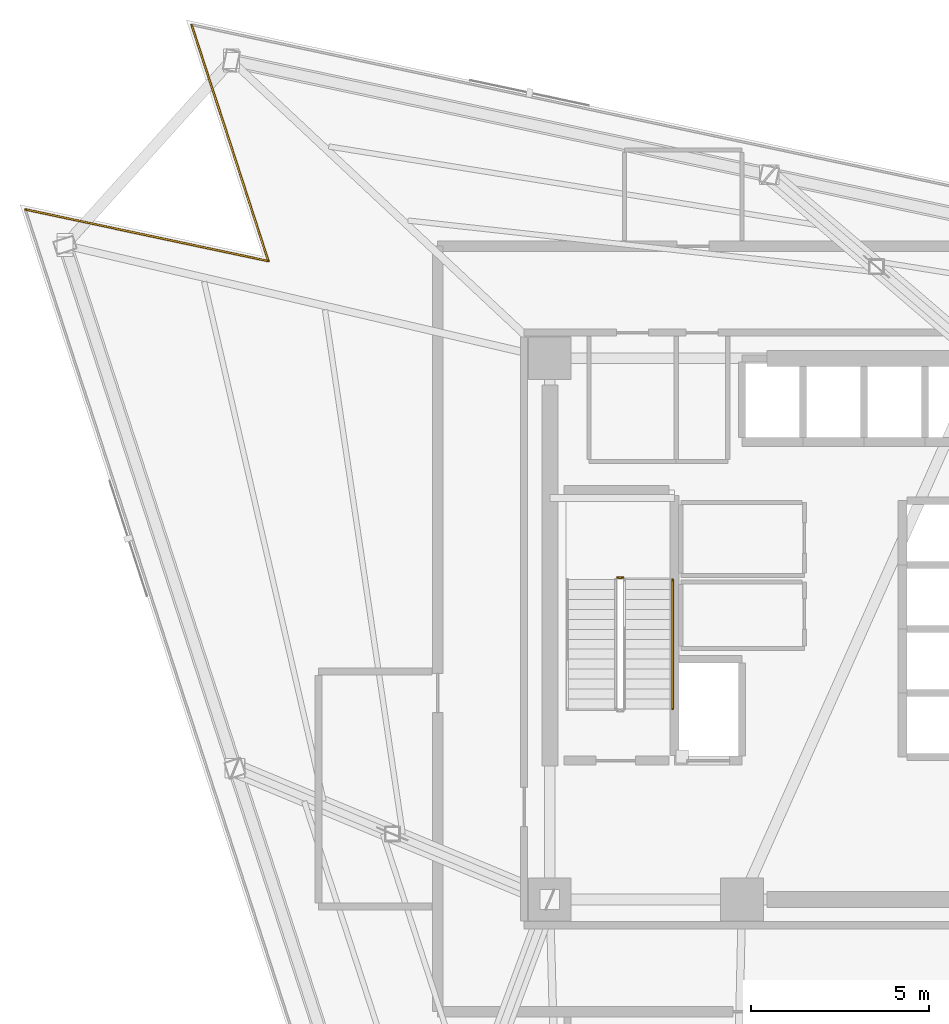
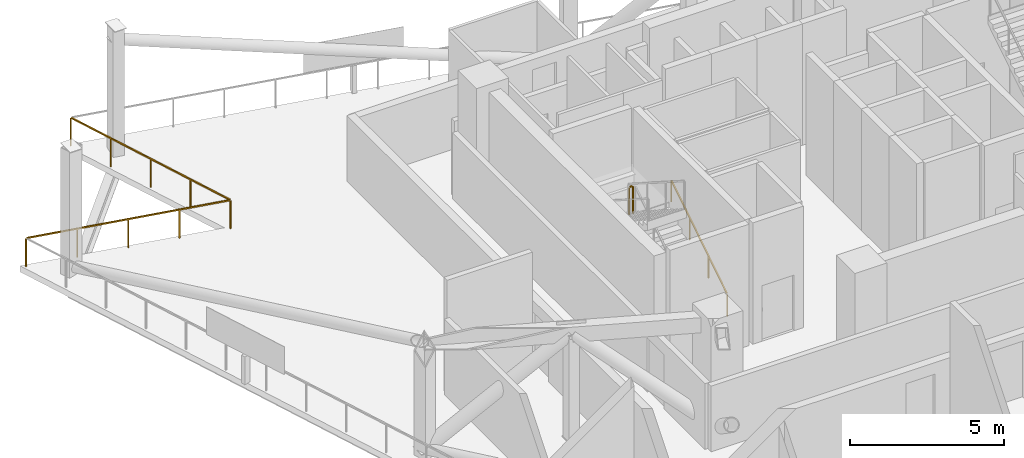
# One storey, part 13 of 15: 4 railings.
"""IFC4 building model written with IfcOpenShell, lengths in metres."""

from ifc_helpers import new_model, si_unit, direction, frame, origin, origin_2d, place, context, subcontext, project, spatial, rectangle, extrude, material, type_object, element, save


model = new_model("IFC4")

# Units and contexts
model_context = context("Model", 3, precision=1e-05, world=origin(), true_north=direction((0.0, 1.0)))
body_context = subcontext(model_context, "Body", "Model", "MODEL_VIEW")
ifc_project = project(units=[si_unit("LENGTHUNIT", "METRE"), si_unit("AREAUNIT", "SQUARE_METRE"), si_unit("VOLUMEUNIT", "CUBIC_METRE"), si_unit("PLANEANGLEUNIT", "RADIAN"), si_unit("MASSUNIT", "GRAM", prefix="KILO")], contexts=[model_context])

# Site, building, storey
site_placement = place(None, origin())
site = spatial("IfcSite", under=ifc_project, at=site_placement, CompositionType="ELEMENT")
building_placement = place(site_placement, origin())
building = spatial("IfcBuilding", under=site, at=building_placement, Name="Tharavind Bronze Gate", CompositionType="ELEMENT")
storey_placement = place(building_placement, frame((0.0, 0.0, 222.050048828125)))
storey = spatial("IfcBuildingStorey", under=building, at=storey_placement, Name="L57", CompositionType="ELEMENT", Elevation=222.050048828125)

# Railings
ifc_material_1 = material(Name="Brushed Bronze Alloy", Category="metal")
railing_type_1 = type_object("IfcRailingType", Name="STAIR BRONZE HANDRAIL 900", PredefinedType="HANDRAIL", material=ifc_material_1)
railing_1_placement = place(storey_placement, frame((-5.449951171875, -2.25, 0.178466796875)))
element("IfcRailing", 1, at=railing_1_placement, inside=storey, type_object=railing_type_1, Name="L57 ST1 stair handrail 1", PredefinedType="HANDRAIL", context=body_context, shape_type="SweptSolid", body=[
    extrude(rectangle(XDim=0.048095703125, YDim=0.048095703125, at=origin_2d()), frame((0.0, 0.027099609375, 0.89306640625), z_axis=(0.0, 0.843111507901, 0.53773877045), x_axis=(-1.0, 0.0, 0.0)), (0.0, 0.0, 1.0), 4.253173828125),
    extrude(rectangle(XDim=0.0400390625, YDim=0.0400390625, at=origin_2d()), origin(), (0.0, 0.0, 1.0), 0.847900390625),
    extrude(rectangle(XDim=0.0400390625, YDim=0.0400390625, at=origin_2d()), frame((0.0, 1.21337890625, 0.77392578125)), (0.0, 0.0, 1.0), 0.847900390625),
    extrude(rectangle(XDim=0.0400390625, YDim=0.0400390625, at=origin_2d()), frame((0.0, 2.426513671875, 1.547607421875)), (0.0, 0.0, 1.0), 0.847900390625),
    extrude(rectangle(XDim=0.0400390625, YDim=0.0400390625, at=origin_2d()), frame((0.0, 3.639892578125, 2.321533203125)), (0.0, 0.0, 1.0), 0.847900390625),
])
railing_type_2 = type_object("IfcRailingType", Name="STAIR WELL GUARD RAILING 1120", PredefinedType="GUARDRAIL", material=ifc_material_1)
railing_2_placement = place(storey_placement, frame((-6.85009765625, 1.43994140625, 2.5)))
element("IfcRailing", 2, at=railing_2_placement, inside=storey, type_object=railing_type_2, Name="L57 ST1 stair guard 2", PredefinedType="GUARDRAIL", context=body_context, shape_type="SweptSolid", body=[
    extrude(rectangle(XDim=0.048095703125, YDim=0.048095703125, at=origin_2d()), frame((-0.031982421875, 0.0, 1.09619140625), z_axis=(-1.0, 0.0, 0.0), x_axis=(0.0, -1.0, 0.0)), (0.0, 0.0, 1.0), 0.0859375),
    extrude(rectangle(XDim=0.0400390625, YDim=0.0400390625, at=origin_2d()), origin(), (0.0, 0.0, 1.0), 1.068115234375),
    extrude(rectangle(XDim=0.0400390625, YDim=0.0400390625, at=origin_2d()), frame((-0.14990234375, 0.0, 0.0)), (0.0, 0.0, 1.0), 1.068115234375),
])
ifc_material_2 = material(Name="Bronze Cap & Laminated Glass", Category="glass")
railing_type_3 = type_object("IfcRailingType", Name="TERRACE GLASS GUARD RAILING 1150", PredefinedType="GUARDRAIL", material=ifc_material_2)
railing_3_placement = place(storey_placement, frame((-18.959716796875, 16.967529296875, 0.0)))
element("IfcRailing", 3, at=railing_3_placement, inside=storey, type_object=railing_type_3, Name="L57 open wind floor perimeter guard railing 1", PredefinedType="GUARDRAIL", context=body_context, shape_type="SweptSolid", body=[
    extrude(rectangle(XDim=0.048095703125, YDim=0.048095703125, at=origin_2d()), frame((0.010009765625, -0.030517578125, 1.1259765625), z_axis=(0.309030708092, -0.951052060329, 0.0), x_axis=(0.951052060329, 0.309030708092, 0.0)), (0.0, 0.0, 1.0), 6.915771484375),
    extrude(rectangle(XDim=0.0400390625, YDim=0.0400390625, at=origin_2d()), origin(), (0.0, 0.0, 1.0), 1.097900390625),
    extrude(rectangle(XDim=0.0400390625, YDim=0.0400390625, at=origin_2d()), frame((0.539306640625, -1.65966796875, 0.0)), (0.0, 0.0, 1.0), 1.097900390625),
    extrude(rectangle(XDim=0.0400390625, YDim=0.0400390625, at=origin_2d()), frame((1.07861328125, -3.319091796875, 0.0)), (0.0, 0.0, 1.0), 1.097900390625),
    extrude(rectangle(XDim=0.0400390625, YDim=0.0400390625, at=origin_2d()), frame((1.61767578125, -4.978515625, 0.0)), (0.0, 0.0, 1.0), 1.097900390625),
    extrude(rectangle(XDim=0.0400390625, YDim=0.0400390625, at=origin_2d()), frame((2.156982421875, -6.63818359375, 0.0)), (0.0, 0.0, 1.0), 1.097900390625),
])
railing_4_placement = place(storey_placement, frame((-16.802734375, 10.329345703125, 0.0)))
element("IfcRailing", 4, at=railing_4_placement, inside=storey, type_object=railing_type_3, Name="L57 open wind floor perimeter guard railing 2", PredefinedType="GUARDRAIL", context=body_context, shape_type="SweptSolid", body=[
    extrude(rectangle(XDim=0.048095703125, YDim=0.048095703125, at=origin_2d()), frame((-0.03125, 0.006591796875, 1.1259765625), z_axis=(-0.9781486268, 0.207906863497, 0.0), x_axis=(-0.207906863497, -0.9781486268, 0.0)), (0.0, 0.0, 1.0), 6.916015625),
    extrude(rectangle(XDim=0.0400390625, YDim=0.0400390625, at=origin_2d()), origin(), (0.0, 0.0, 1.0), 1.097900390625),
    extrude(rectangle(XDim=0.0400390625, YDim=0.0400390625, at=origin_2d()), frame((-1.706787109375, 0.36279296875, 0.0)), (0.0, 0.0, 1.0), 1.097900390625),
    extrude(rectangle(XDim=0.0400390625, YDim=0.0400390625, at=origin_2d()), frame((-3.41357421875, 0.7255859375, 0.0)), (0.0, 0.0, 1.0), 1.097900390625),
    extrude(rectangle(XDim=0.0400390625, YDim=0.0400390625, at=origin_2d()), frame((-5.12060546875, 1.08837890625, 0.0)), (0.0, 0.0, 1.0), 1.097900390625),
    extrude(rectangle(XDim=0.0400390625, YDim=0.0400390625, at=origin_2d()), frame((-6.827392578125, 1.451171875, 0.0)), (0.0, 0.0, 1.0), 1.097900390625),
])

save(model, "model.ifc")
